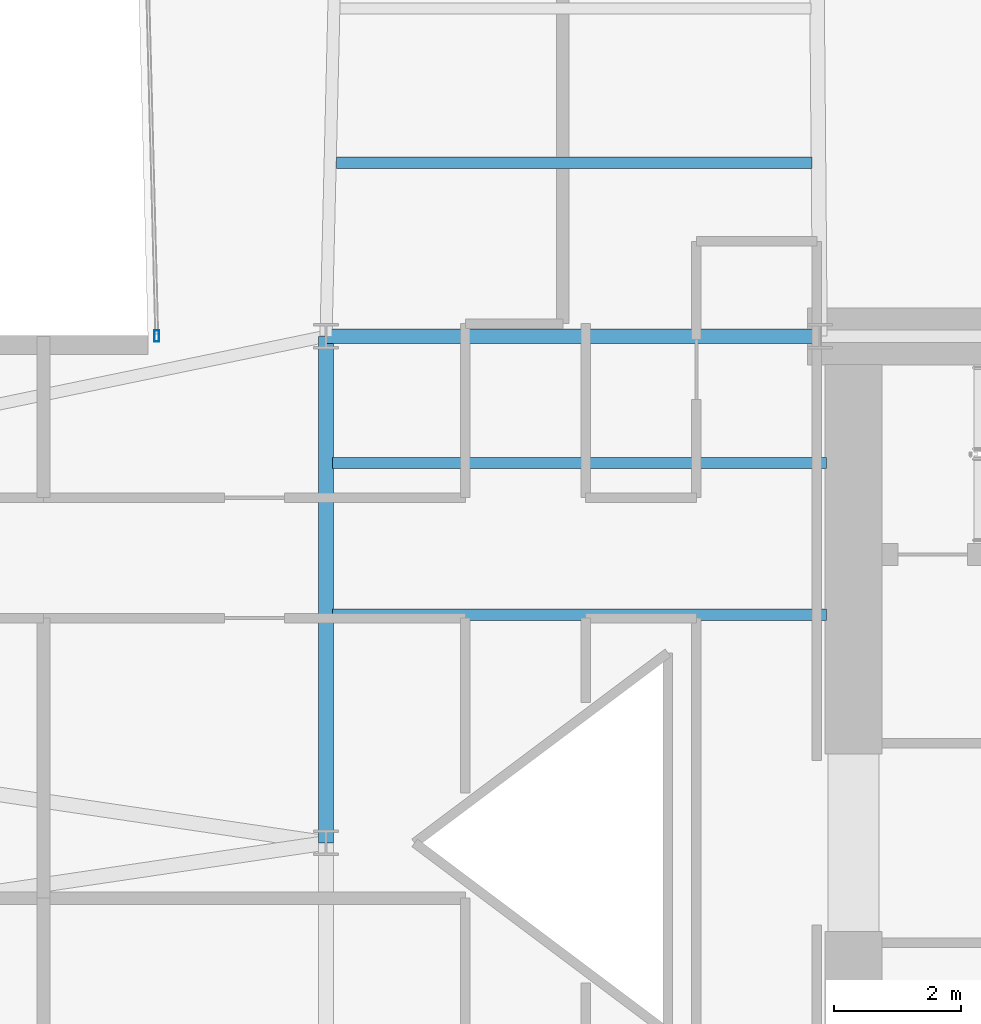
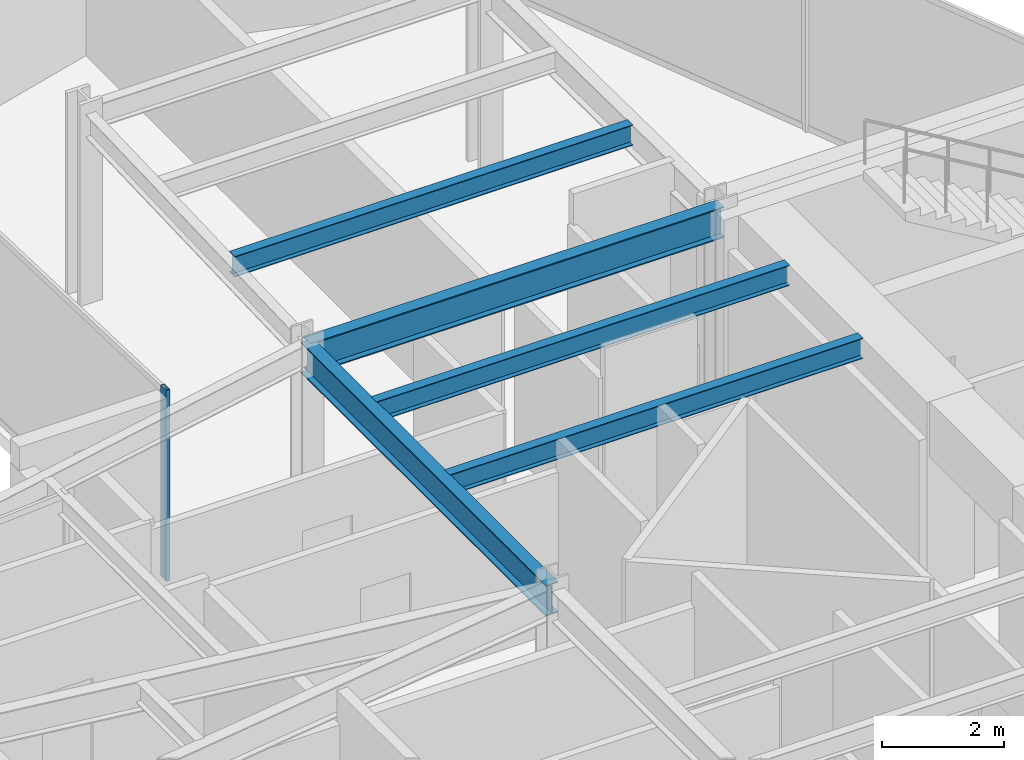
# One storey, part 13 of 30: 5 beams, 1 member, 1 element without a shape of its own.
"""IFC4 building model written with IfcOpenShell, lengths in metres."""

from ifc_helpers import new_model, si_unit, direction, frame, origin, origin_2d, place, context, subcontext, project, spatial, hollow_rectangle, i_section, extrude, material, layer, layer_set, material_profile, profile_set, type_object, element, aggregate, save


model = new_model("IFC4")

# Units and contexts
model_context = context("Model", 3, precision=1e-05, world=origin(), true_north=direction((0.0, 1.0)))
body_context = subcontext(model_context, "Body", "Model", "MODEL_VIEW")
ifc_project = project(units=[si_unit("LENGTHUNIT", "METRE"), si_unit("AREAUNIT", "SQUARE_METRE"), si_unit("VOLUMEUNIT", "CUBIC_METRE"), si_unit("PLANEANGLEUNIT", "RADIAN"), si_unit("MASSUNIT", "GRAM", prefix="KILO")], contexts=[model_context])

# Site, building, storey
site_placement = place(None, origin())
site = spatial("IfcSite", under=ifc_project, at=site_placement, CompositionType="ELEMENT")
building_placement = place(site_placement, origin())
building = spatial("IfcBuilding", under=site, at=building_placement, Name="Veymaron Broadcast Tower", CompositionType="ELEMENT")
storey_placement = place(building_placement, frame((0.0, 0.0, 66.14990234375)))
storey = spatial("IfcBuildingStorey", under=building, at=storey_placement, Name="L14", CompositionType="ELEMENT", Elevation=66.14990234375)

# Beams
ifc_material_1 = material(Name="Structural steel ASTM A992 Gr 50", Category="steel")
ifc_material_profile_1 = material_profile(ifc_material_1, i_section(OverallWidth=0.22998046875, OverallDepth=0.616943359375, WebThickness=0.01318359375, FlangeThickness=0.022216796875, at=origin_2d()), Name="W610X140")
ifc_profile_set_1 = profile_set([ifc_material_profile_1], Name="Structural steel ASTM A992 Gr 50")
beam_type_1 = type_object("IfcBeamType", Name="BM-FG1", PredefinedType="BEAM", material=ifc_profile_set_1)
beam_1_placement = place(storey_placement, frame((31.199951171875, 24.0, 3.501708984375), z_axis=(0.0, 1.0, 0.0), x_axis=(-1.0, 0.0, 0.0)))
element("IfcBeam", 1, at=beam_1_placement, inside=storey, type_object=beam_type_1, Name="L14 primary structural floor girder", PredefinedType="BEAM", context=body_context, shape_type="SweptSolid", body=[
    extrude(i_section(OverallWidth=0.22998046875, OverallDepth=0.616943359375, WebThickness=0.01318359375, FlangeThickness=0.022216796875, at=origin_2d()), origin(), (0.0, 0.0, 1.0), 8.0),
])
beam_2_placement = place(storey_placement, frame((31.199951171875, 32.0, 3.501708984375), z_axis=(1.0, 0.0, 0.0), x_axis=(0.0, 1.0, 0.0)))
element("IfcBeam", 2, at=beam_2_placement, inside=storey, type_object=beam_type_1, Name="L14 primary structural floor girder", PredefinedType="BEAM", context=body_context, shape_type="SweptSolid", body=[
    extrude(i_section(OverallWidth=0.22998046875, OverallDepth=0.616943359375, WebThickness=0.01318359375, FlangeThickness=0.022216796875, at=origin_2d()), origin(), (0.0, 0.0, 1.0), 7.800048828125),
])
ifc_material_profile_2 = material_profile(ifc_material_1, i_section(OverallWidth=0.177978515625, OverallDepth=0.406982421875, WebThickness=0.0078125, FlangeThickness=0.0126953125, at=origin_2d()), Name="W410X60")
ifc_profile_set_2 = profile_set([ifc_material_profile_2], Name="Structural steel ASTM A992 Gr 50")
beam_type_2 = type_object("IfcBeamType", Name="BM-JS1", PredefinedType="JOIST", material=ifc_profile_set_2)
beam_3_placement = place(storey_placement, frame((31.365478515625, 34.739501953125, 3.606689453125), z_axis=(1.0, 0.0, 0.0), x_axis=(0.0, 1.0, 0.0)))
element("IfcBeam", 3, at=beam_3_placement, inside=storey, type_object=beam_type_2, Name="L14 Arm-B secondary joist 1", PredefinedType="JOIST", context=body_context, shape_type="SweptSolid", body=[
    extrude(i_section(OverallWidth=0.177978515625, OverallDepth=0.406982421875, WebThickness=0.0078125, FlangeThickness=0.0126953125, at=origin_2d()), origin(), (0.0, 0.0, 1.0), 7.51123046875),
])
for number, where, z_axis, x_axis, name in (
    (4, (31.300048828125, 27.60009765625, 3.606689453125), (1.0, 0.0, 0.0), (0.0, 1.0, 0.0), "L14 Hub secondary joist 3"),
    (5, (31.300048828125, 30.0, 3.606689453125), (1.0, 0.0, 0.0), (0.0, 1.0, 0.0), "L14 Hub secondary joist 4"),
):
    element("IfcBeam", number, at=place(storey_placement, frame(where, z_axis=z_axis, x_axis=x_axis)), inside=storey, type_object=beam_type_2, Name=name, PredefinedType="JOIST", context=body_context, shape_type="SweptSolid", body=[
        extrude(i_section(OverallWidth=0.177978515625, OverallDepth=0.406982421875, WebThickness=0.0078125, FlangeThickness=0.0126953125, at=origin_2d()), origin(), (0.0, 0.0, 1.0), 7.800048828125),
    ])

# Curtain wall, member
ifc_material_2 = material(Name="Anodised aluminium AA 6063-T6 and laminated low-E dark glass", Category="aluminium")
ifc_layer = layer(ifc_material_2, 0.179931640625)
ifc_layer_set = layer_set([ifc_layer], Name="Anodised aluminium AA 6063-T6 and laminated low-E dark glass")
curtain_wall_type = type_object("IfcCurtainWallType", Name="CW-SYS-02", PredefinedType="NOTDEFINED", material=ifc_layer_set)
curtain_wall_placement = place(storey_placement, origin())
curtain_wall = element("IfcCurtainWall", 6, at=curtain_wall_placement, inside=storey, type_object=curtain_wall_type, Name="L14 dark-glass curtain wall CW-L14-E8-1", PredefinedType="NOTDEFINED")
ifc_material_3 = material(Name="Anodised aluminium AA 6063-T6", Category="aluminium")
ifc_material_profile_3 = material_profile(ifc_material_3, hollow_rectangle(XDim=0.074951171875, YDim=0.179931640625, WallThickness=0.0048828125, at=origin_2d()), Name="AL180X75X5")
ifc_profile_set_3 = profile_set([ifc_material_profile_3], Name="Anodised aluminium AA 6063-T6")
member_type = type_object("IfcMemberType", Name="CW-MUL-02", PredefinedType="MULLION", material=ifc_profile_set_3)
member_placement = place(storey_placement, frame((28.527099609375, 32.003662109375, 0.0), z_axis=(0.0, 0.0, 1.0), x_axis=(1.0, 0.0, 0.0)))
member = element("IfcMember", 7, at=member_placement, type_object=member_type, Name="CW-L14-E8-1 mullion 2", PredefinedType="MULLION", context=body_context, shape_type="SweptSolid", body=[
    extrude(hollow_rectangle(XDim=0.074951171875, YDim=0.179931640625, WallThickness=0.0048828125, at=origin_2d()), origin(), (0.0, 0.0, 1.0), 3.81005859375),
])
aggregate(curtain_wall, [member])

save(model, "model.ifc")
